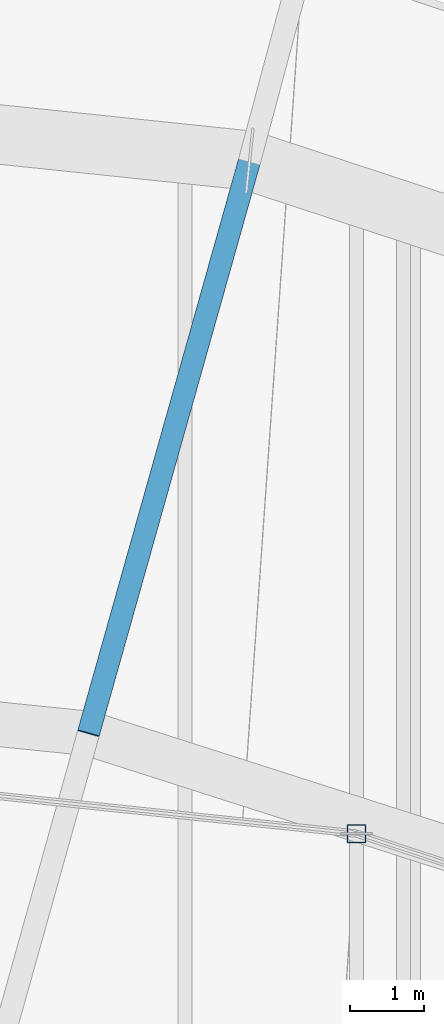
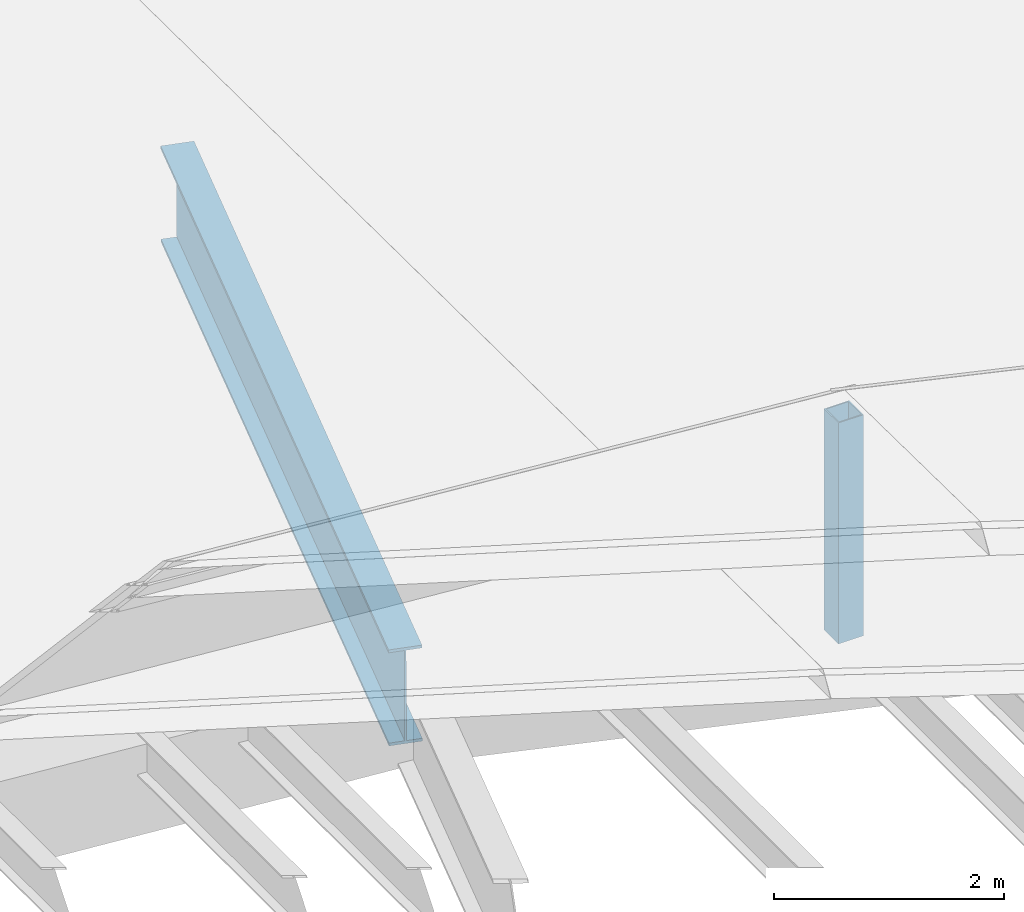
# One storey, part 124 of 184: 1 beam, 1 member.
"""IFC4 building model written with IfcOpenShell, lengths in metres."""

from ifc_helpers import new_model, si_unit, direction, frame, origin, origin_2d, place, context, subcontext, project, spatial, hollow_rectangle, i_section, extrude, material, material_profile, profile_set, type_object, element, save


model = new_model("IFC4")

# Units and contexts
model_context = context("Model", 3, precision=1e-05, world=origin(), true_north=direction((0.0, 1.0)))
body_context = subcontext(model_context, "Body", "Model", "MODEL_VIEW")
ifc_project = project(units=[si_unit("LENGTHUNIT", "METRE"), si_unit("AREAUNIT", "SQUARE_METRE"), si_unit("VOLUMEUNIT", "CUBIC_METRE"), si_unit("PLANEANGLEUNIT", "RADIAN"), si_unit("MASSUNIT", "GRAM", prefix="KILO")], contexts=[model_context])

# Site, building, storey
site_placement = place(None, origin())
site = spatial("IfcSite", under=ifc_project, at=site_placement, CompositionType="ELEMENT")
building_placement = place(site_placement, origin())
building = spatial("IfcBuilding", under=site, at=building_placement, Name="Kalgoora Escarpment Arena", CompositionType="ELEMENT")
storey_placement = place(building_placement, frame((0.0, 0.0, 27.60009765625)))
storey = spatial("IfcBuildingStorey", under=building, at=storey_placement, Name="Roof Level", CompositionType="ELEMENT", Elevation=27.60009765625)

# Beam
ifc_material_1 = material(Name="Structural steel Grade 350 (350 MPa)", Category="steel")
ifc_material_profile_1 = material_profile(ifc_material_1, i_section(OverallWidth=0.300048828125, OverallDepth=1.010009765625, WebThickness=0.01611328125, FlangeThickness=0.030029296875, at=origin_2d()))
ifc_profile_set_1 = profile_set([ifc_material_profile_1], Name="Structural steel Grade 350 (350 MPa)")
beam_type = type_object("IfcBeamType", Name="BM-TRUSS-CHORD", PredefinedType="USERDEFINED", material=ifc_profile_set_1)
beam_placement = place(storey_placement, frame((110.983154296875, 119.057861328125, -1.400146484375), z_axis=(-0.270805551558, -0.962553320372, 0.012468307259), x_axis=(0.962628147734, -0.27082660355, 0.0)))
element("IfcBeam", 1, at=beam_placement, inside=storey, type_object=beam_type, Name="Outer radial petal support girder R06", ObjectType="GIRDER", PredefinedType="USERDEFINED", context=body_context, shape_type="SweptSolid", body=[
    extrude(i_section(OverallWidth=0.300048828125, OverallDepth=1.010009765625, WebThickness=0.01611328125, FlangeThickness=0.030029296875, at=origin_2d()), origin(), (0.0, 0.0, 1.0), 8.028076171875),
])

# Member
ifc_material_2 = material(Name="Structural steel C450 (450 MPa)", Category="steel")
ifc_material_profile_2 = material_profile(ifc_material_2, hollow_rectangle(XDim=0.25, YDim=0.25, WallThickness=0.012451171875, at=origin_2d()))
ifc_profile_set_2 = profile_set([ifc_material_profile_2], Name="Structural steel C450 (450 MPa)")
member_type = type_object("IfcMemberType", Name="MEM-PETAL-POST", PredefinedType="POST", material=ifc_profile_set_2)
member_placement = place(storey_placement, frame((112.425537109375, 109.97802734375, -1.080078125), z_axis=(0.0, 0.0, 1.0), x_axis=(1.0, 0.0, 0.0)))
element("IfcMember", 2, at=member_placement, inside=storey, type_object=member_type, Name="Petal RP2 vertical support post S06", PredefinedType="POST", context=body_context, shape_type="SweptSolid", body=[
    extrude(hollow_rectangle(XDim=0.25, YDim=0.25, WallThickness=0.012451171875, at=origin_2d()), origin(), (0.0, 0.0, 1.0), 2.344970703125),
])

save(model, "model.ifc")
